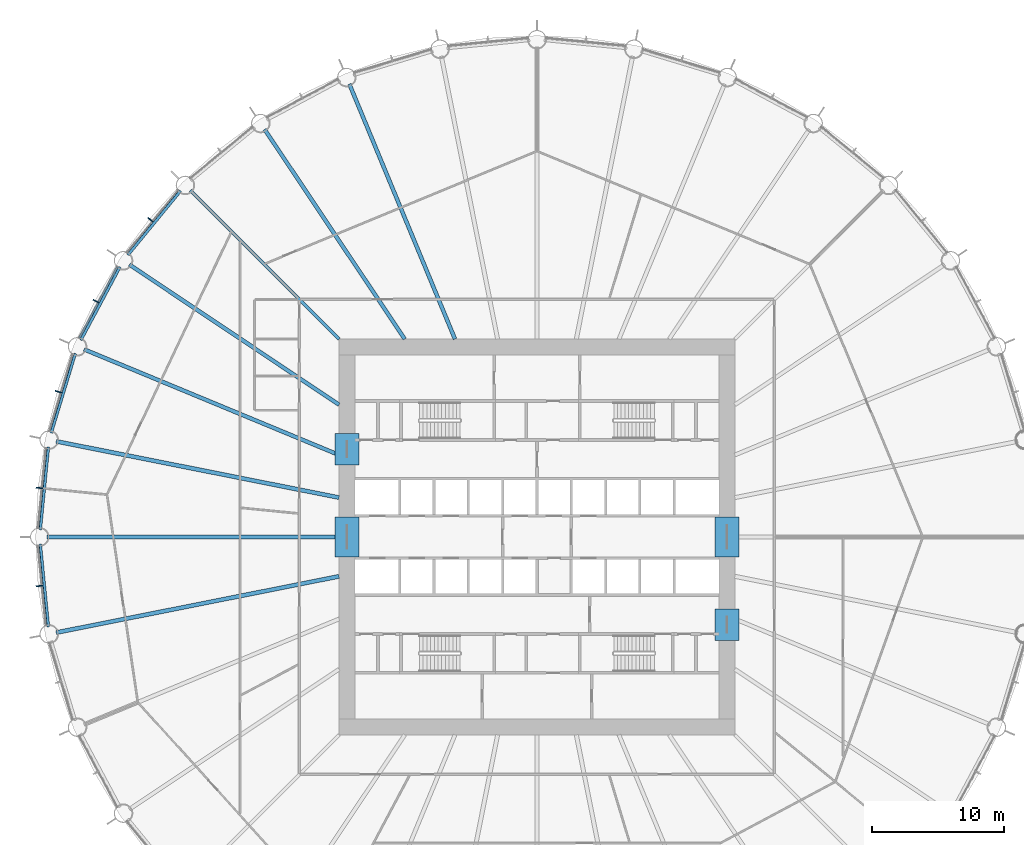
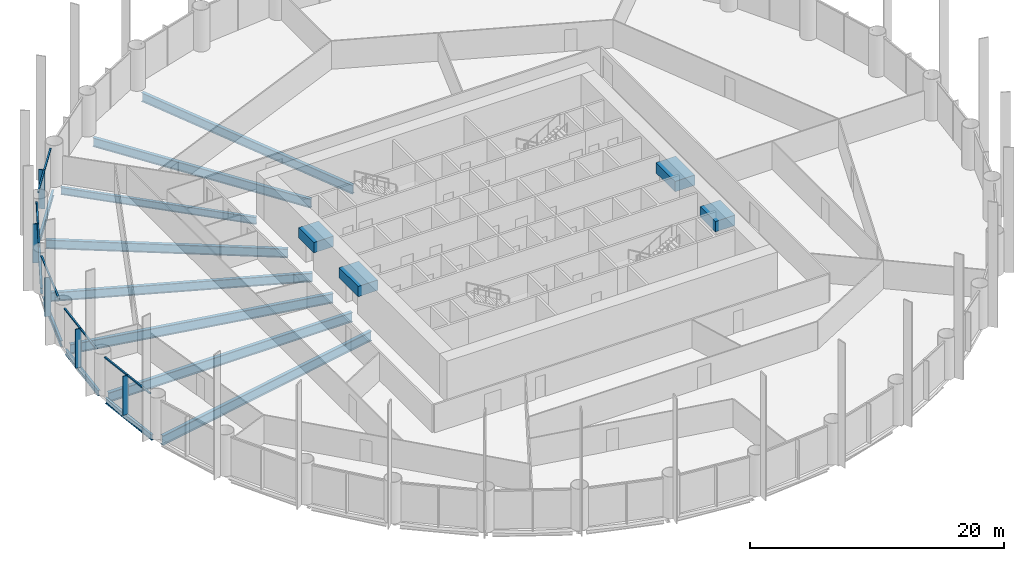
# One storey, part 4 of 15: 17 beams, 15 members, 5 elements without a shape of their own.
"""IFC4 building model written with IfcOpenShell, lengths in metres."""

from ifc_helpers import new_model, si_unit, direction, frame, origin, origin_2d, place, context, subcontext, project, spatial, rectangle, i_section, extrude, material, material_profile, profile_set, type_object, element, aggregate, save


model = new_model("IFC4")

# Units and contexts
model_context = context("Model", 3, precision=1e-05, world=origin(), true_north=direction((0.0, 1.0)))
body_context = subcontext(model_context, "Body", "Model", "MODEL_VIEW")
ifc_project = project(units=[si_unit("LENGTHUNIT", "METRE"), si_unit("AREAUNIT", "SQUARE_METRE"), si_unit("VOLUMEUNIT", "CUBIC_METRE"), si_unit("PLANEANGLEUNIT", "RADIAN"), si_unit("MASSUNIT", "GRAM", prefix="KILO")], contexts=[model_context])

# Site, building, storey
site_placement = place(None, origin())
site = spatial("IfcSite", under=ifc_project, at=site_placement, CompositionType="ELEMENT")
building_placement = place(site_placement, origin())
building = spatial("IfcBuilding", under=site, at=building_placement, Name="Corvane Civic Tower", CompositionType="ELEMENT")
storey_placement = place(building_placement, frame((0.0, 0.0, 65.0)))
storey = spatial("IfcBuildingStorey", under=building, at=storey_placement, Name="L14", CompositionType="ELEMENT", Elevation=65.0)

# Beams
ifc_material_1 = material(Name="Concrete C80/95", Category="concrete")
ifc_material_profile_1 = material_profile(ifc_material_1, rectangle(XDim=1.800048828125, YDim=1.0, at=origin_2d()), Name="COUPLING BEAM 1800X1000")
ifc_profile_set_1 = profile_set([ifc_material_profile_1], Name="Concrete C80/95")
beam_type_1 = type_object("IfcBeamType", Name="COUPLING BEAM COUPLING BEAM 1800X1000", PredefinedType="BEAM", material=ifc_profile_set_1)
for number, where, z_axis, x_axis, name in (
    (1, (-14.39990234375, -1.5, 2.60009765625), (0.0, 1.0, 0.0), (-1.0, 0.0, 0.0), "BM-L14-cpl-CW-LW"),
    (2, (14.39990234375, -1.5, 2.60009765625), (0.0, 1.0, 0.0), (-1.0, 0.0, 0.0), "BM-L14-cpl-CW-LE"),
):
    element("IfcBeam", number, at=place(storey_placement, frame(where, z_axis=z_axis, x_axis=x_axis)), inside=storey, type_object=beam_type_1, Name=name, PredefinedType="BEAM", context=body_context, shape_type="SweptSolid", body=[
        extrude(rectangle(XDim=1.800048828125, YDim=1.0, at=origin_2d()), origin(), (0.0, 0.0, 1.0), 3.0),
    ])
for number, where, z_axis, x_axis, name in (
    (3, (-14.39990234375, 5.449951171875, 2.60009765625), (0.0, 1.0, 0.0), (-1.0, 0.0, 0.0), "BM-L14-cpl-CW-WN"),
    (4, (14.39990234375, -7.85009765625, 2.60009765625), (0.0, 1.0, 0.0), (-1.0, 0.0, 0.0), "BM-L14-cpl-CW-ES"),
):
    element("IfcBeam", number, at=place(storey_placement, frame(where, z_axis=z_axis, x_axis=x_axis)), inside=storey, type_object=beam_type_1, Name=name, PredefinedType="BEAM", context=body_context, shape_type="SweptSolid", body=[
        extrude(rectangle(XDim=1.800048828125, YDim=1.0, at=origin_2d()), origin(), (0.0, 0.0, 1.0), 2.400146484375),
    ])
ifc_material_2 = material(Name="Steel ASTM A992 Gr 50", Category="steel")
ifc_material_profile_2 = material_profile(ifc_material_2, i_section(OverallWidth=0.209228515625, OverallDepth=0.533447265625, WebThickness=0.01025390625, FlangeThickness=0.015625, at=origin_2d()), Name="W21X62")
ifc_profile_set_2 = profile_set([ifc_material_profile_2], Name="Steel ASTM A992 Gr 50")
beam_type_2 = type_object("IfcBeamType", Name="EDGE BEAM W21X62", PredefinedType="BEAM", material=ifc_profile_set_2)
for number, where, z_axis, x_axis, name in (
    (5, (-37.029541015625, -6.8076171875, -0.566650390625), (-0.097997284622, 0.995186682089, 0.0), (-0.995186682089, -0.097997284622, 0.0), "BM-L14-E24"),
    (6, (-37.64599609375, 0.54736328125, -0.566650390625), (0.097997284622, 0.995186682089, 0.0), (-0.995186682089, 0.097997284622, 0.0), "BM-L14-E25"),
):
    element("IfcBeam", number, at=place(storey_placement, frame(where, z_axis=z_axis, x_axis=x_axis)), inside=storey, type_object=beam_type_2, Name=name, PredefinedType="BEAM", context=body_context, shape_type="SweptSolid", body=[
        extrude(i_section(OverallWidth=0.209228515625, OverallDepth=0.533447265625, WebThickness=0.01025390625, FlangeThickness=0.015625, at=origin_2d()), origin(), (0.0, 0.0, 1.0), 6.29052734375),
    ])
for number, where, z_axis, x_axis, name in (
    (7, (-36.81591796875, 7.88134765625, -0.566650390625), (0.290273452184, 0.956943740748, 0.0), (-0.956943740748, 0.290273452184, 0.0), "BM-L14-E26"),
    (8, (-34.571044921875, 14.912353515625, -0.566650390625), (0.471405897311, 0.881916367906, 0.0), (-0.881916367906, 0.471405897311, 0.0), "BM-L14-E27"),
):
    element("IfcBeam", number, at=place(storey_placement, frame(where, z_axis=z_axis, x_axis=x_axis)), inside=storey, type_object=beam_type_2, Name=name, PredefinedType="BEAM", context=body_context, shape_type="SweptSolid", body=[
        extrude(i_section(OverallWidth=0.209228515625, OverallDepth=0.533447265625, WebThickness=0.01025390625, FlangeThickness=0.015625, at=origin_2d()), origin(), (0.0, 0.0, 1.0), 6.290283203125),
    ])
beam_1_placement = place(storey_placement, frame((-30.99755859375, 21.3701171875, -0.566650390625), z_axis=(0.634386787141, 0.773015785286, 0.0), x_axis=(-0.773015785286, 0.634386787141, 0.0)))
element("IfcBeam", 9, at=beam_1_placement, inside=storey, type_object=beam_type_2, Name="BM-L14-E28", PredefinedType="BEAM", context=body_context, shape_type="SweptSolid", body=[
    extrude(i_section(OverallWidth=0.209228515625, OverallDepth=0.533447265625, WebThickness=0.01025390625, FlangeThickness=0.015625, at=origin_2d()), origin(), (0.0, 0.0, 1.0), 6.290771484375),
])
ifc_material_3 = material(Name="Steel ASTM A992 Gr 50", Category="steel")
ifc_material_profile_3 = material_profile(ifc_material_3, i_section(OverallWidth=0.256591796875, OverallDepth=0.693359375, WebThickness=0.014404296875, FlangeThickness=0.023681640625, at=origin_2d()), Name="W27X114")
ifc_profile_set_3 = profile_set([ifc_material_profile_3], Name="Steel ASTM A992 Gr 50")
beam_type_3 = type_object("IfcBeamType", Name="FLOOR GIRDER W27X114", PredefinedType="BEAM", material=ifc_profile_set_3)
beam_2_placement = place(storey_placement, frame((-15.0, 15.0, -0.646728515625), z_axis=(-0.707106781187, 0.707106781187, 0.0), x_axis=(-0.707106781187, -0.707106781187, 0.0)))
element("IfcBeam", 10, at=beam_2_placement, inside=storey, type_object=beam_type_3, Name="BM-L14-G29", PredefinedType="BEAM", context=body_context, shape_type="SweptSolid", body=[
    extrude(i_section(OverallWidth=0.256591796875, OverallDepth=0.693359375, WebThickness=0.014404296875, FlangeThickness=0.023681640625, at=origin_2d()), origin(), (0.0, 0.0, 1.0), 15.936767578125),
])
ifc_material_4 = material(Name="Steel ASTM A992 Gr 50", Category="steel")
ifc_material_profile_4 = material_profile(ifc_material_4, i_section(OverallWidth=0.2919921875, OverallDepth=0.8583984375, WebThickness=0.01708984375, FlangeThickness=0.031005859375, at=origin_2d()), Name="W33X169")
ifc_profile_set_4 = profile_set([ifc_material_profile_4], Name="Steel ASTM A992 Gr 50")
beam_type_4 = type_object("IfcBeamType", Name="FLOOR GIRDER W33X169", PredefinedType="BEAM", material=ifc_profile_set_4)
beam_3_placement = place(storey_placement, frame((-15.0, 6.213134765625, -0.729248046875), z_axis=(-0.923875834355, 0.382692360381, 0.0), x_axis=(-0.382692360381, -0.923875834355, 0.0)))
element("IfcBeam", 11, at=beam_3_placement, inside=storey, type_object=beam_type_4, Name="BM-L14-G27", PredefinedType="BEAM", context=body_context, shape_type="SweptSolid", body=[
    extrude(i_section(OverallWidth=0.2919921875, OverallDepth=0.8583984375, WebThickness=0.01708984375, FlangeThickness=0.031005859375, at=origin_2d()), origin(), (0.0, 0.0, 1.0), 20.9140625),
])
for number, where, z_axis, x_axis, name in (
    (12, (-15.0, 10.022705078125, -0.729248046875), (-0.831471985418, 0.555566681385, 0.0), (-0.555566681385, -0.831471985418, 0.0), "BM-L14-G28"),
    (13, (-10.022705078125, 15.0, -0.729248046875), (-0.555566681385, 0.831471985418, 0.0), (-0.831471985418, -0.555566681385, 0.0), "BM-L14-G30"),
):
    element("IfcBeam", number, at=place(storey_placement, frame(where, z_axis=z_axis, x_axis=x_axis)), inside=storey, type_object=beam_type_4, Name=name, PredefinedType="BEAM", context=body_context, shape_type="SweptSolid", body=[
        extrude(i_section(OverallWidth=0.2919921875, OverallDepth=0.8583984375, WebThickness=0.01708984375, FlangeThickness=0.031005859375, at=origin_2d()), origin(), (0.0, 0.0, 1.0), 19.109619140625),
    ])
beam_4_placement = place(storey_placement, frame((-6.213134765625, 15.0, -0.729248046875), z_axis=(-0.382692360381, 0.923875834355, 0.0), x_axis=(-0.923875834355, -0.382692360381, 0.0)))
element("IfcBeam", 14, at=beam_4_placement, inside=storey, type_object=beam_type_4, Name="BM-L14-G31", PredefinedType="BEAM", context=body_context, shape_type="SweptSolid", body=[
    extrude(i_section(OverallWidth=0.2919921875, OverallDepth=0.8583984375, WebThickness=0.01708984375, FlangeThickness=0.031005859375, at=origin_2d()), origin(), (0.0, 0.0, 1.0), 20.9140625),
])
ifc_material_5 = material(Name="Steel ASTM A992 Gr 50", Category="steel")
ifc_material_profile_5 = material_profile(ifc_material_5, i_section(OverallWidth=0.307373046875, OverallDepth=0.927001953125, WebThickness=0.01953125, FlangeThickness=0.031982421875, at=origin_2d()), Name="W36X194")
ifc_profile_set_5 = profile_set([ifc_material_profile_5], Name="Steel ASTM A992 Gr 50")
beam_type_5 = type_object("IfcBeamType", Name="FLOOR GIRDER W36X194", PredefinedType="BEAM", material=ifc_profile_set_5)
beam_5_placement = place(storey_placement, frame((-15.0, -2.983642578125, -0.763671875), z_axis=(-0.980785499679, -0.195089219638, 0.0), x_axis=(0.195089219638, -0.980785499679, 0.0)))
element("IfcBeam", 15, at=beam_5_placement, inside=storey, type_object=beam_type_5, Name="BM-L14-G24", PredefinedType="BEAM", context=body_context, shape_type="SweptSolid", body=[
    extrude(i_section(OverallWidth=0.307373046875, OverallDepth=0.927001953125, WebThickness=0.01953125, FlangeThickness=0.031982421875, at=origin_2d()), origin(), (0.0, 0.0, 1.0), 21.856201171875),
])
beam_6_placement = place(storey_placement, frame((-15.0, 0.0, -0.763671875), z_axis=(-1.0, 0.0, 0.0), x_axis=(0.0, -1.0, 0.0)))
element("IfcBeam", 16, at=beam_6_placement, inside=storey, type_object=beam_type_5, Name="BM-L14-G25", PredefinedType="BEAM", context=body_context, shape_type="SweptSolid", body=[
    extrude(i_section(OverallWidth=0.307373046875, OverallDepth=0.927001953125, WebThickness=0.01953125, FlangeThickness=0.031982421875, at=origin_2d()), origin(), (0.0, 0.0, 1.0), 22.14990234375),
])
beam_7_placement = place(storey_placement, frame((-15.0, 2.983642578125, -0.763671875), z_axis=(-0.980785499679, 0.195089219638, 0.0), x_axis=(-0.195089219638, -0.980785499679, 0.0)))
element("IfcBeam", 17, at=beam_7_placement, inside=storey, type_object=beam_type_5, Name="BM-L14-G26", PredefinedType="BEAM", context=body_context, shape_type="SweptSolid", body=[
    extrude(i_section(OverallWidth=0.307373046875, OverallDepth=0.927001953125, WebThickness=0.01953125, FlangeThickness=0.031982421875, at=origin_2d()), origin(), (0.0, 0.0, 1.0), 21.856201171875),
])

# Curtain wall, members
ifc_material_6 = material(Name="Anodised aluminium bronze", Category="aluminium")
curtain_wall_type = type_object("IfcCurtainWallType", Name="TOWER CW-T1 STICK CURTAIN WALL", PredefinedType="NOTDEFINED", material=ifc_material_6)
curtain_wall_1_placement = place(storey_placement, origin())
curtain_wall_1 = element("IfcCurtainWall", 18, at=curtain_wall_1_placement, inside=storey, type_object=curtain_wall_type, Name="Curtain wall CW-T1 L14 bay 24", PredefinedType="NOTDEFINED")
ifc_material_7 = material(Name="Anodised aluminium bronze", Category="aluminium")
ifc_material_profile_6 = material_profile(ifc_material_7, rectangle(XDim=0.139892578125, YDim=0.1201171875, at=origin_2d()), Name="TOWER CW-T1 TRANSOM 140x120")
ifc_profile_set_6 = profile_set([ifc_material_profile_6], Name="Anodised aluminium bronze")
member_type_1 = type_object("IfcMemberType", Name="TOWER CW-T1 TRANSOM 140x120", PredefinedType="USERDEFINED", material=ifc_profile_set_6)
member_1_placement = place(storey_placement, frame((-37.21728515625, -6.72900390625, 3.68994140625), z_axis=(-0.097944923917, 0.995191836722, 0.0), x_axis=(-0.995191836722, -0.097944923917, 0.0)))
member_1 = element("IfcMember", 19, at=member_1_placement, type_object=member_type_1, Name="Transom CW-T1 L14 24.1", ObjectType="TRANSOM", PredefinedType="USERDEFINED", context=body_context, shape_type="SweptSolid", body=[
    extrude(rectangle(XDim=0.139892578125, YDim=0.1201171875, at=origin_2d()), origin(), (0.0, 0.0, 1.0), 3.008544921875),
])
member_2_placement = place(storey_placement, frame((-37.52001953125, -3.6552734375, 3.68994140625), z_axis=(-0.097944923917, 0.995191836722, 0.0), x_axis=(-0.995191836722, -0.097944923917, 0.0)))
member_2 = element("IfcMember", 20, at=member_2_placement, type_object=member_type_1, Name="Transom CW-T1 L14 24.2", ObjectType="TRANSOM", PredefinedType="USERDEFINED", context=body_context, shape_type="SweptSolid", body=[
    extrude(rectangle(XDim=0.139892578125, YDim=0.1201171875, at=origin_2d()), origin(), (0.0, 0.0, 1.0), 3.008544921875),
])

curtain_wall_2_placement = place(storey_placement, origin())
curtain_wall_2 = element("IfcCurtainWall", 21, at=curtain_wall_2_placement, inside=storey, type_object=curtain_wall_type, Name="Curtain wall CW-T1 L14 bay 25", PredefinedType="NOTDEFINED")
member_3_placement = place(storey_placement, frame((-37.814697265625, 0.6611328125, 3.68994140625), z_axis=(0.097944923917, 0.995191836722, 0.0), x_axis=(-0.995191836722, 0.097944923917, 0.0)))
member_3 = element("IfcMember", 22, at=member_3_placement, type_object=member_type_1, Name="Transom CW-T1 L14 25.1", ObjectType="TRANSOM", PredefinedType="USERDEFINED", context=body_context, shape_type="SweptSolid", body=[
    extrude(rectangle(XDim=0.139892578125, YDim=0.1201171875, at=origin_2d()), origin(), (0.0, 0.0, 1.0), 3.008544921875),
])
member_4_placement = place(storey_placement, frame((-37.511962890625, 3.73486328125, 3.68994140625), z_axis=(0.097944923917, 0.995191836722, 0.0), x_axis=(-0.995191836722, 0.097944923917, 0.0)))
member_4 = element("IfcMember", 23, at=member_4_placement, type_object=member_type_1, Name="Transom CW-T1 L14 25.2", ObjectType="TRANSOM", PredefinedType="USERDEFINED", context=body_context, shape_type="SweptSolid", body=[
    extrude(rectangle(XDim=0.139892578125, YDim=0.1201171875, at=origin_2d()), origin(), (0.0, 0.0, 1.0), 3.008544921875),
])

curtain_wall_3_placement = place(storey_placement, origin())
curtain_wall_3 = element("IfcCurtainWall", 24, at=curtain_wall_3_placement, inside=storey, type_object=curtain_wall_type, Name="Curtain wall CW-T1 L14 bay 26", PredefinedType="NOTDEFINED")
member_5_placement = place(storey_placement, frame((-36.959228515625, 8.02587890625, 3.68994140625), z_axis=(0.290279914268, 0.956941780555, 0.0), x_axis=(-0.956941780555, 0.290279914268, 0.0)))
member_5 = element("IfcMember", 25, at=member_5_placement, type_object=member_type_1, Name="Transom CW-T1 L14 26.1", ObjectType="TRANSOM", PredefinedType="USERDEFINED", context=body_context, shape_type="SweptSolid", body=[
    extrude(rectangle(XDim=0.139892578125, YDim=0.1201171875, at=origin_2d()), origin(), (0.0, 0.0, 1.0), 3.008544921875),
])
member_6_placement = place(storey_placement, frame((-36.062744140625, 10.9814453125, 3.68994140625), z_axis=(0.290279914268, 0.956941780555, 0.0), x_axis=(-0.956941780555, 0.290279914268, 0.0)))
member_6 = element("IfcMember", 26, at=member_6_placement, type_object=member_type_1, Name="Transom CW-T1 L14 26.2", ObjectType="TRANSOM", PredefinedType="USERDEFINED", context=body_context, shape_type="SweptSolid", body=[
    extrude(rectangle(XDim=0.139892578125, YDim=0.1201171875, at=origin_2d()), origin(), (0.0, 0.0, 1.0), 3.008544921875),
])

curtain_wall_4_placement = place(storey_placement, origin())
curtain_wall_4 = element("IfcCurtainWall", 27, at=curtain_wall_4_placement, inside=storey, type_object=curtain_wall_type, Name="Curtain wall CW-T1 L14 bay 27", PredefinedType="NOTDEFINED")
member_7_placement = place(storey_placement, frame((-34.683349609375, 15.08203125, 3.68994140625), z_axis=(0.471392506424, 0.881923525532, 0.0), x_axis=(-0.881923525532, 0.471392506424, 0.0)))
member_7 = element("IfcMember", 28, at=member_7_placement, type_object=member_type_1, Name="Transom CW-T1 L14 27.1", ObjectType="TRANSOM", PredefinedType="USERDEFINED", context=body_context, shape_type="SweptSolid", body=[
    extrude(rectangle(XDim=0.139892578125, YDim=0.1201171875, at=origin_2d()), origin(), (0.0, 0.0, 1.0), 3.008544921875),
])
member_8_placement = place(storey_placement, frame((-33.2275390625, 17.805908203125, 3.68994140625), z_axis=(0.471392506424, 0.881923525532, 0.0), x_axis=(-0.881923525532, 0.471392506424, 0.0)))
member_8 = element("IfcMember", 29, at=member_8_placement, type_object=member_type_1, Name="Transom CW-T1 L14 27.2", ObjectType="TRANSOM", PredefinedType="USERDEFINED", context=body_context, shape_type="SweptSolid", body=[
    extrude(rectangle(XDim=0.139892578125, YDim=0.1201171875, at=origin_2d()), origin(), (0.0, 0.0, 1.0), 3.008544921875),
])

curtain_wall_5_placement = place(storey_placement, origin())
curtain_wall_5 = element("IfcCurtainWall", 30, at=curtain_wall_5_placement, inside=storey, type_object=curtain_wall_type, Name="Curtain wall CW-T1 L14 bay 28", PredefinedType="NOTDEFINED")
member_9_placement = place(storey_placement, frame((-31.074462890625, 21.55859375, 3.68994140625), z_axis=(0.634355161466, 0.773041738279, 0.0), x_axis=(-0.773041738279, 0.634355161466, 0.0)))
member_9 = element("IfcMember", 31, at=member_9_placement, type_object=member_type_1, Name="Transom CW-T1 L14 28.1", ObjectType="TRANSOM", PredefinedType="USERDEFINED", context=body_context, shape_type="SweptSolid", body=[
    extrude(rectangle(XDim=0.139892578125, YDim=0.1201171875, at=origin_2d()), origin(), (0.0, 0.0, 1.0), 3.008544921875),
])
member_10_placement = place(storey_placement, frame((-29.115234375, 23.946044921875, 3.68994140625), z_axis=(0.634403652865, 0.773001943873, 0.0), x_axis=(-0.773001943873, 0.634403652865, 0.0)))
member_10 = element("IfcMember", 32, at=member_10_placement, type_object=member_type_1, Name="Transom CW-T1 L14 28.2", ObjectType="TRANSOM", PredefinedType="USERDEFINED", context=body_context, shape_type="SweptSolid", body=[
    extrude(rectangle(XDim=0.139892578125, YDim=0.1201171875, at=origin_2d()), origin(), (0.0, 0.0, 1.0), 3.008544921875),
])

# Member
ifc_material_8 = material(Name="Anodised aluminium bronze", Category="aluminium")
ifc_material_profile_7 = material_profile(ifc_material_8, rectangle(XDim=0.080078125, YDim=0.5, at=origin_2d()), Name="TOWER FIN MULLION 80x500 BRONZE")
ifc_profile_set_7 = profile_set([ifc_material_profile_7], Name="Anodised aluminium bronze")
member_type_2 = type_object("IfcMemberType", Name="TOWER FIN MULLION 80x500 BRONZE", PredefinedType="MULLION", material=ifc_profile_set_7)
member_11_placement = place(storey_placement, frame((-37.715087890625, -3.714599609375, 0.0), z_axis=(0.0, 0.0, 1.0), x_axis=(-0.098006239521, 0.995185800248, 0.0)))
member_11 = element("IfcMember", 33, at=member_11_placement, type_object=member_type_2, Name="Fin mullion 24 L14", PredefinedType="MULLION", context=body_context, shape_type="SweptSolid", body=[
    extrude(rectangle(XDim=0.080078125, YDim=0.5, at=origin_2d()), origin(), (0.0, 0.0, 1.0), 3.75),
])

aggregate(curtain_wall_1, [member_11, member_1, member_2])

member_12_placement = place(storey_placement, frame((-37.715087890625, 3.714599609375, 0.0), z_axis=(0.0, 0.0, 1.0), x_axis=(0.098006239521, 0.995185800248, 0.0)))
member_12 = element("IfcMember", 34, at=member_12_placement, type_object=member_type_2, Name="Fin mullion 25 L14", PredefinedType="MULLION", context=body_context, shape_type="SweptSolid", body=[
    extrude(rectangle(XDim=0.080078125, YDim=0.5, at=origin_2d()), origin(), (0.0, 0.0, 1.0), 3.75),
])

aggregate(curtain_wall_2, [member_12, member_3, member_4])

member_13_placement = place(storey_placement, frame((-36.265625, 11.001220703125, 0.0), z_axis=(0.0, 0.0, 1.0), x_axis=(0.290278397654, 0.956942240606, 0.0)))
member_13 = element("IfcMember", 35, at=member_13_placement, type_object=member_type_2, Name="Fin mullion 26 L14", PredefinedType="MULLION", context=body_context, shape_type="SweptSolid", body=[
    extrude(rectangle(XDim=0.080078125, YDim=0.5, at=origin_2d()), origin(), (0.0, 0.0, 1.0), 3.75),
])

aggregate(curtain_wall_3, [member_13, member_5, member_6])

member_14_placement = place(storey_placement, frame((-33.422607421875, 17.86474609375, 0.0), z_axis=(0.0, 0.0, 1.0), x_axis=(0.471403725359, 0.881917528864, 0.0)))
member_14 = element("IfcMember", 36, at=member_14_placement, type_object=member_type_2, Name="Fin mullion 27 L14", PredefinedType="MULLION", context=body_context, shape_type="SweptSolid", body=[
    extrude(rectangle(XDim=0.080078125, YDim=0.5, at=origin_2d()), origin(), (0.0, 0.0, 1.0), 3.75),
])

aggregate(curtain_wall_4, [member_14, member_7, member_8])

member_15_placement = place(storey_placement, frame((-29.295166015625, 24.0419921875, 0.0), z_axis=(0.0, 0.0, 1.0), x_axis=(0.634397218569, 0.773007224463, 0.0)))
member_15 = element("IfcMember", 37, at=member_15_placement, type_object=member_type_2, Name="Fin mullion 28 L14", PredefinedType="MULLION", context=body_context, shape_type="SweptSolid", body=[
    extrude(rectangle(XDim=0.080078125, YDim=0.5, at=origin_2d()), origin(), (0.0, 0.0, 1.0), 3.75),
])

aggregate(curtain_wall_5, [member_15, member_9, member_10])

save(model, "model.ifc")
